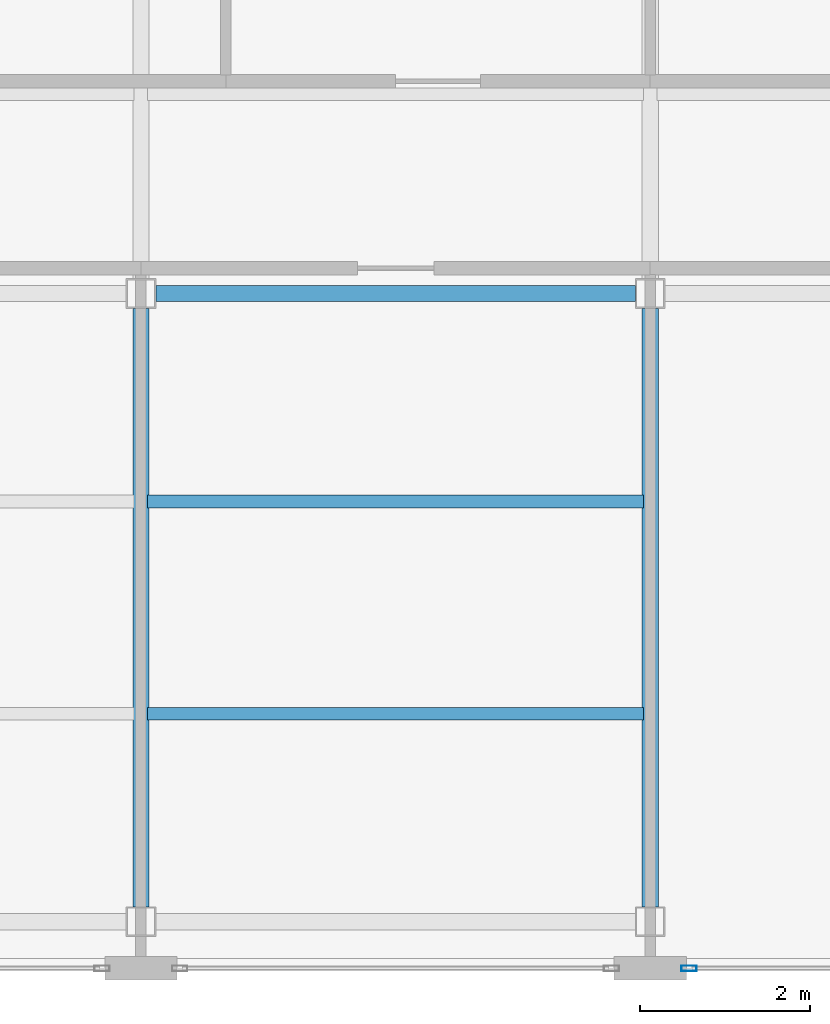
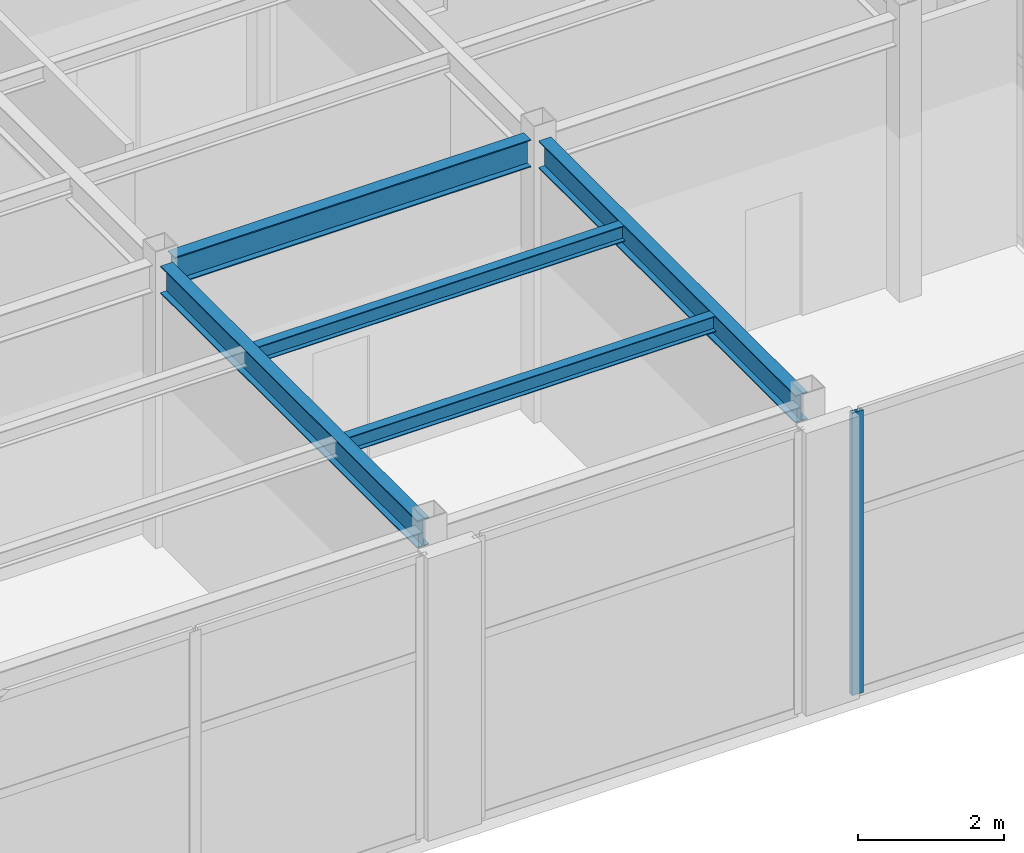
# One storey, part 5 of 15: 5 beams, 1 member, 1 element without a shape of its own.
"""IFC4 building model written with IfcOpenShell, lengths in metres."""

import ifcopenshell
import ifcopenshell.guid

model = None  # the IFC model being written
_history = None  # IfcOwnerHistory: only IFC2X3 demands one
_inside = {}  # id of a spatial element -> (the spatial element, [elements in it])
_under = {}  # id of a project, library or spatial element -> (it, [spatial elements below it])
_declared = {}  # id of a project -> (the project, [libraries it declares])
_typed = {}  # id of a type object -> (the type object, [elements of that type])
_made_of = {}  # id of a material, layer set ... -> (it, [elements and type objects made of it])


def new_model(schema):
    """Start an empty IFC model of exactly this schema.

    Asked for "IFC4X3", IfcOpenShell would pick the latest addendum, in which some entities
    have other attributes; the version numbers below select the first issue.
    IFC2X3 requires an IfcOwnerHistory on every rooted entity: one is made here for all.
    """
    global model, _history
    if schema == "IFC4X3":
        model = ifcopenshell.file(schema_version=(4, 3, 0, 0))
    else:
        model = ifcopenshell.file(schema=schema)
    _inside.clear()
    _under.clear()
    _declared.clear()
    _typed.clear()
    _made_of.clear()
    _history = None
    if model.schema == "IFC2X3":
        org = make("IfcOrganization", Name="unknown")
        user = make(
            "IfcPersonAndOrganization",
            ThePerson=make("IfcPerson", FamilyName="unknown"),
            TheOrganization=org,
        )
        app = make(
            "IfcApplication",
            ApplicationDeveloper=org,
            Version="unknown",
            ApplicationFullName="unknown",
            ApplicationIdentifier="unknown",
        )
        _history = make(
            "IfcOwnerHistory",
            OwningUser=user,
            OwningApplication=app,
            ChangeAction="ADDED",
            CreationDate=0,
        )
    return model


def make(cls, **values):
    """One entity of the class cls with the attributes given. An attribute that is None is left unset."""
    return model.create_entity(
        cls, **{name: value for name, value in values.items() if value is not None}
    )


def rooted(cls, **values):
    """An entity with a GlobalId (a new one), such as an element, a storey or a relation."""
    return make(cls, GlobalId=ifcopenshell.guid.new(), OwnerHistory=_history, **values)


def si_unit(unit_type, name, prefix=None):
    """IfcSIUnit, for example si_unit("LENGTHUNIT", "METRE", prefix="MILLI")."""
    return make("IfcSIUnit", UnitType=unit_type, Prefix=prefix, Name=name)


def assignment(units):
    """IfcUnitAssignment: the units of a project."""
    return None if units is None else make("IfcUnitAssignment", Units=units)


def point(xyz):
    """IfcCartesianPoint."""
    return None if xyz is None else make("IfcCartesianPoint", Coordinates=xyz)


def direction(xyz):
    """IfcDirection."""
    return None if xyz is None else make("IfcDirection", DirectionRatios=xyz)


def frame(location, z_axis=None, x_axis=None):
    """IfcAxis2Placement3D, a coordinate frame: its origin and axes. An axis left out is left unset."""
    return make(
        "IfcAxis2Placement3D",
        Location=point(location),
        Axis=direction(z_axis),
        RefDirection=direction(x_axis),
    )


def frame_2d(location, x_axis=None):
    """IfcAxis2Placement2D, a coordinate frame in the plane: its origin and x axis."""
    return make(
        "IfcAxis2Placement2D", Location=point(location), RefDirection=direction(x_axis)
    )


def origin():
    """The frame at (0, 0, 0) with its axes left unset."""
    return frame((0.0, 0.0, 0.0))


def origin_2d():
    """The frame at (0, 0) in the plane with its x axis left unset."""
    return frame_2d((0.0, 0.0))


def place(relative_to, where):
    """IfcLocalPlacement: puts the frame where relative to a parent placement (None: the world)."""
    return make(
        "IfcLocalPlacement", PlacementRelTo=relative_to, RelativePlacement=where
    )


def context(
    kind, dimensions, precision=None, world=None, true_north=None, identifier=None
):
    """IfcGeometricRepresentationContext, for example the 3D "Model" context."""
    return make(
        "IfcGeometricRepresentationContext",
        ContextIdentifier=identifier,
        ContextType=kind,
        CoordinateSpaceDimension=dimensions,
        Precision=precision,
        WorldCoordinateSystem=world,
        TrueNorth=true_north,
    )


def subcontext(parent, identifier, kind, view, scale=None):
    """IfcGeometricRepresentationSubContext, for example "Body" below "Model"."""
    return make(
        "IfcGeometricRepresentationSubContext",
        ContextIdentifier=identifier,
        ContextType=kind,
        ParentContext=parent,
        TargetScale=scale,
        TargetView=view,
    )


def project(units=None, contexts=None):
    """IfcProject with its units and contexts."""
    return rooted(
        "IfcProject",
        Name="project",
        RepresentationContexts=contexts,
        UnitsInContext=assignment(units),
    )


def spatial(cls, under=None, at=None, **own):
    """A site, building, storey or space (cls), placed at a placement, below another one or the project."""
    s = rooted(cls, ObjectPlacement=at, **own)
    if under is not None:
        _under.setdefault(under.id(), (under, []))[1].append(s)
    return s


def profile(cls, at=None, kind="AREA", **sizes):
    """A parametric profile (cls). Its sizes go by their IFC names, for example OverallWidth=200.0."""
    return make(cls, ProfileType=kind, Position=at, **sizes)


def hollow_rectangle(**sizes):
    """IfcRectangleHollowProfileDef."""
    return profile("IfcRectangleHollowProfileDef", **sizes)


def i_section(**sizes):
    """IfcIShapeProfileDef."""
    return profile("IfcIShapeProfileDef", **sizes)


def extrude(swept, where, along, depth):
    """IfcExtrudedAreaSolid: the profile swept, set in the frame where, extruded along a direction by depth."""
    return make(
        "IfcExtrudedAreaSolid",
        SweptArea=swept,
        Position=where,
        ExtrudedDirection=direction(along),
        Depth=depth,
    )


def shape(context_of_items, identifier, shape_type, items):
    """IfcShapeRepresentation: the items that make up one representation, for example the "Body"."""
    return make(
        "IfcShapeRepresentation",
        ContextOfItems=context_of_items,
        RepresentationIdentifier=identifier,
        RepresentationType=shape_type,
        Items=items,
    )


def material(Name=None, Category=None):
    """IfcMaterial."""
    return make("IfcMaterial", Name=Name, Category=Category)


def layer(
    of_material, thickness, ventilated=None, Name=None, Category=None, Priority=None
):
    """IfcMaterialLayer: one layer of a wall or slab, of a material (None: an air gap)."""
    return make(
        "IfcMaterialLayer",
        Material=of_material,
        LayerThickness=thickness,
        IsVentilated=ventilated,
        Name=Name,
        Category=Category,
        Priority=Priority,
    )


def layer_set(layers, Name=None):
    """IfcMaterialLayerSet."""
    return make("IfcMaterialLayerSet", MaterialLayers=layers, LayerSetName=Name)


def material_profile(
    of_material, cross_section, Name=None, Category=None, Priority=None
):
    """IfcMaterialProfile: a cross section and its material."""
    return make(
        "IfcMaterialProfile",
        Name=Name,
        Material=of_material,
        Profile=cross_section,
        Priority=Priority,
        Category=Category,
    )


def profile_set(profiles, Name=None, composite=None):
    """IfcMaterialProfileSet."""
    return make(
        "IfcMaterialProfileSet",
        Name=Name,
        MaterialProfiles=profiles,
        CompositeProfile=composite,
    )


def made_of(thing, what):
    """Note that an element or type object is made of a material, layer set ...; save() writes the relation."""
    if what is not None:
        _made_of.setdefault(what.id(), (what, []))[1].append(thing)
    return thing


def type_object(cls, material=None, **own):
    """A type object (cls), such as IfcWallType, which elements share."""
    return made_of(rooted(cls, **own), material)


def element(
    cls,
    number,
    at=None,
    inside=None,
    cuts=None,
    type_object=None,
    material=None,
    context=None,
    identifier="Body",
    shape_type=None,
    held_by="IfcProductDefinitionShape",
    body=None,
    shapes=None,
    **own,
):
    """One element of the class cls, such as IfcWall. Its Tag is "e" and its number.

    at: its placement. inside: the storey or other place that contains it. cuts: it is an
    opening in that element (IfcRelVoidsElement). A single representation is given by context,
    identifier, shape_type and body (its items); several are given by shapes. held_by: the class
    of the entity that holds the representations. save() writes the other relations.
    """
    e = rooted(cls, Tag="e%d" % number, ObjectPlacement=at, **own)
    if body is not None:
        shapes = [shape(context, identifier, shape_type, body)]
    if shapes is not None:
        e.Representation = make(held_by, Representations=shapes)
    if inside is not None:
        _inside.setdefault(inside.id(), (inside, []))[1].append(e)
    if cuts is not None:
        rooted(
            "IfcRelVoidsElement", RelatingBuildingElement=cuts, RelatedOpeningElement=e
        )
    if type_object is not None:
        _typed.setdefault(type_object.id(), (type_object, []))[1].append(e)
    return made_of(e, material)


def aggregate(whole, parts):
    """IfcRelAggregates: a whole, such as a stair, and the parts it consists of."""
    return rooted("IfcRelAggregates", RelatingObject=whole, RelatedObjects=parts)


def save(model, path):
    """Write the relations noted so far, then the file.

    IfcRelAggregates (storeys below a building ...), IfcRelContainedInSpatialStructure (elements
    in a storey), IfcRelDefinesByType, IfcRelAssociatesMaterial and IfcRelDeclares: one each for
    every whole, place, type object, material and project.
    """
    for whole, parts in _under.values():
        aggregate(whole, parts)
    for where, things in _inside.values():
        rooted(
            "IfcRelContainedInSpatialStructure",
            RelatedElements=things,
            RelatingStructure=where,
        )
    for kind, things in _typed.values():
        rooted("IfcRelDefinesByType", RelatedObjects=things, RelatingType=kind)
    for what, things in _made_of.values():
        rooted("IfcRelAssociatesMaterial", RelatedObjects=things, RelatingMaterial=what)
    for by, libraries in _declared.values():
        rooted("IfcRelDeclares", RelatingContext=by, RelatedDefinitions=libraries)
    model.write(path)


model = new_model("IFC4")

# Units and contexts
model_context = context("Model", 3, precision=1e-05, world=origin(), true_north=direction((0.0, 1.0)))
body_context = subcontext(model_context, "Body", "Model", "MODEL_VIEW")
ifc_project = project(units=[si_unit("LENGTHUNIT", "METRE"), si_unit("AREAUNIT", "SQUARE_METRE"), si_unit("VOLUMEUNIT", "CUBIC_METRE"), si_unit("PLANEANGLEUNIT", "RADIAN"), si_unit("MASSUNIT", "GRAM", prefix="KILO")], contexts=[model_context])

# Site, building, storey
site_placement = place(None, origin())
site = spatial("IfcSite", under=ifc_project, at=site_placement, CompositionType="ELEMENT")
building_placement = place(site_placement, origin())
building = spatial("IfcBuilding", under=site, at=building_placement, Name="Mawjaban Terraces University", CompositionType="ELEMENT")
storey_placement = place(building_placement, frame((0.0, 0.0, 306.699951171875)))
storey = spatial("IfcBuildingStorey", under=building, at=storey_placement, Name="L75", CompositionType="ELEMENT", Elevation=306.699951171875)

# Beams
ifc_material_1 = material(Name="Steel ASTM A572 Grade 50", Category="steel")
ifc_material_profile_1 = material_profile(ifc_material_1, i_section(OverallWidth=0.19189453125, OverallDepth=0.462890625, WebThickness=0.010498046875, FlangeThickness=0.017578125, at=origin_2d()), Name="W460X89")
ifc_profile_set_1 = profile_set([ifc_material_profile_1], Name="Steel ASTM A572 Grade 50")
beam_type_1 = type_object("IfcBeamType", Name="Beam_B_W460X89", PredefinedType="BEAM", material=ifc_profile_set_1)
beam_placement = place(storey_placement, frame((46.175048828125, 7.949951171875, 4.509033203125), z_axis=(1.0, 0.0, 0.0), x_axis=(0.0, 1.0, 0.0)))
element("IfcBeam", 1, at=beam_placement, inside=storey, type_object=beam_type_1, Name="L75 Beam BM-L75-EW-04", PredefinedType="BEAM", context=body_context, shape_type="SweptSolid", body=[
    extrude(i_section(OverallWidth=0.19189453125, OverallDepth=0.462890625, WebThickness=0.010498046875, FlangeThickness=0.017578125, at=origin_2d()), origin(), (0.0, 0.0, 1.0), 5.64990234375),
])
for number, where, z_axis, x_axis, name in (
    (2, (46.0, 0.72509765625, 4.509033203125), (0.0, 1.0, 0.0), (-1.0, 0.0, 0.0), "L75 Beam BM-L75-NS-08"),
    (3, (52.0, 0.72509765625, 4.509033203125), (0.0, 1.0, 0.0), (-1.0, 0.0, 0.0), "L75 Beam BM-L75-NS-10"),
):
    element("IfcBeam", number, at=place(storey_placement, frame(where, z_axis=z_axis, x_axis=x_axis)), inside=storey, type_object=beam_type_1, Name=name, PredefinedType="BEAM", context=body_context, shape_type="SweptSolid", body=[
        extrude(i_section(OverallWidth=0.19189453125, OverallDepth=0.462890625, WebThickness=0.010498046875, FlangeThickness=0.017578125, at=origin_2d()), origin(), (0.0, 0.0, 1.0), 7.0498046875),
    ])
ifc_material_profile_2 = material_profile(ifc_material_1, i_section(OverallWidth=0.14794921875, OverallDepth=0.26611328125, WebThickness=0.007568359375, FlangeThickness=0.012939453125, at=origin_2d()), Name="W250X45")
ifc_profile_set_2 = profile_set([ifc_material_profile_2], Name="Steel ASTM A572 Grade 50")
beam_type_2 = type_object("IfcBeamType", Name="Beam_J_W250X45", PredefinedType="JOIST", material=ifc_profile_set_2)
for number, where, z_axis, x_axis, name in (
    (4, (46.080078125, 3.0, 4.60693359375), (1.0, 0.0, 0.0), (0.0, 1.0, 0.0), "L75 Composite Joist JST-L75-02"),
    (5, (46.080078125, 5.5, 4.60693359375), (1.0, 0.0, 0.0), (0.0, 1.0, 0.0), "L75 Composite Joist JST-L75-04"),
):
    element("IfcBeam", number, at=place(storey_placement, frame(where, z_axis=z_axis, x_axis=x_axis)), inside=storey, type_object=beam_type_2, Name=name, PredefinedType="JOIST", context=body_context, shape_type="SweptSolid", body=[
        extrude(i_section(OverallWidth=0.14794921875, OverallDepth=0.26611328125, WebThickness=0.007568359375, FlangeThickness=0.012939453125, at=origin_2d()), origin(), (0.0, 0.0, 1.0), 5.83984375),
    ])

# Curtain wall, member
ifc_material_2 = material(Name="Anodised aluminium 6063-T6 and solar-control low-E glass", Category="aluminium")
ifc_layer = layer(ifc_material_2, 0.199951171875)
ifc_layer_set = layer_set([ifc_layer], Name="Anodised aluminium 6063-T6 and solar-control low-E glass")
curtain_wall_type = type_object("IfcCurtainWallType", Name="CWSystem_06_ObservationCrown", PredefinedType="NOTDEFINED", material=ifc_layer_set)
curtain_wall_placement = place(storey_placement, origin())
curtain_wall = element("IfcCurtainWall", 6, at=curtain_wall_placement, inside=storey, type_object=curtain_wall_type, Name="L75 Curtain Wall CW-06 Run 1.5", PredefinedType="NOTDEFINED")
ifc_material_3 = material(Name="Anodised aluminium 6063-T6", Category="aluminium")
ifc_material_profile_3 = material_profile(ifc_material_3, hollow_rectangle(XDim=0.06494140625, YDim=0.179931640625, WallThickness=0.00390625, at=origin_2d()), Name="ALU180X65X4")
ifc_profile_set_3 = profile_set([ifc_material_profile_3], Name="Anodised aluminium 6063-T6")
member_type = type_object("IfcMemberType", Name="Mullion_CW-06", PredefinedType="MULLION", material=ifc_profile_set_3)
member_placement = place(storey_placement, frame((52.45751953125, 0.0, 0.0), z_axis=(0.0, 0.0, 1.0), x_axis=(0.0, 1.0, 0.0)))
member = element("IfcMember", 7, at=member_placement, type_object=member_type, Name="CW-06 mullion 1", PredefinedType="MULLION", context=body_context, shape_type="SweptSolid", body=[
    extrude(hollow_rectangle(XDim=0.06494140625, YDim=0.179931640625, WallThickness=0.00390625, at=origin_2d()), origin(), (0.0, 0.0, 1.0), 4.739990234375),
])
aggregate(curtain_wall, [member])

save(model, "model.ifc")
